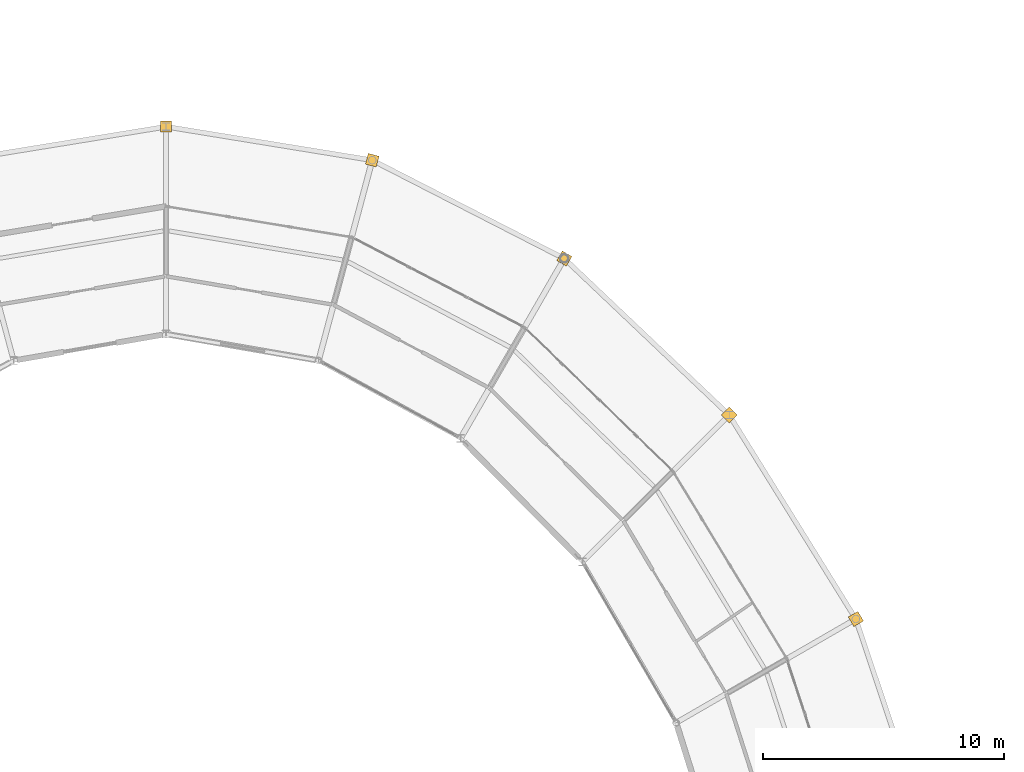
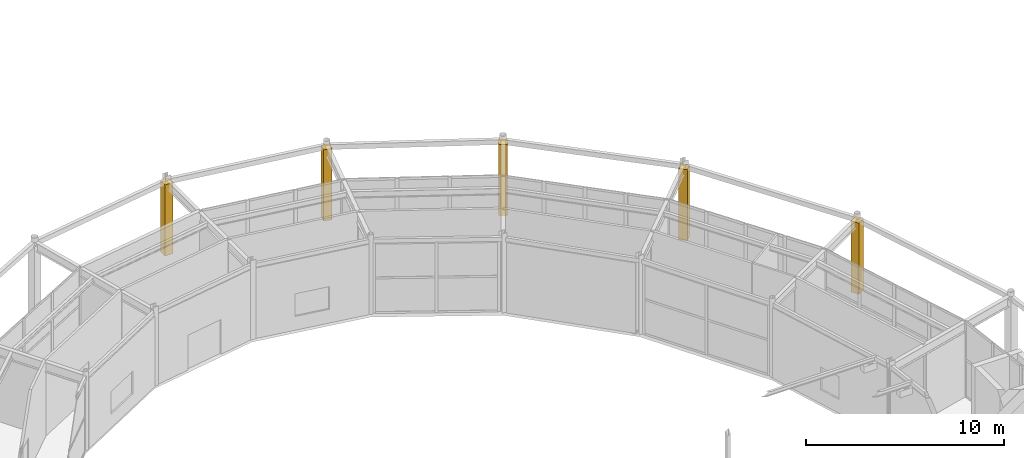
# One storey, part 142 of 144: 5 coverings.
"""IFC4 building model written with IfcOpenShell, lengths in metres."""

import ifcopenshell
import ifcopenshell.guid

model = None  # the IFC model being written
_history = None  # IfcOwnerHistory: only IFC2X3 demands one
_inside = {}  # id of a spatial element -> (the spatial element, [elements in it])
_under = {}  # id of a project, library or spatial element -> (it, [spatial elements below it])
_declared = {}  # id of a project -> (the project, [libraries it declares])
_typed = {}  # id of a type object -> (the type object, [elements of that type])
_made_of = {}  # id of a material, layer set ... -> (it, [elements and type objects made of it])


def new_model(schema):
    """Start an empty IFC model of exactly this schema.

    Asked for "IFC4X3", IfcOpenShell would pick the latest addendum, in which some entities
    have other attributes; the version numbers below select the first issue.
    IFC2X3 requires an IfcOwnerHistory on every rooted entity: one is made here for all.
    """
    global model, _history
    if schema == "IFC4X3":
        model = ifcopenshell.file(schema_version=(4, 3, 0, 0))
    else:
        model = ifcopenshell.file(schema=schema)
    _inside.clear()
    _under.clear()
    _declared.clear()
    _typed.clear()
    _made_of.clear()
    _history = None
    if model.schema == "IFC2X3":
        org = make("IfcOrganization", Name="unknown")
        user = make(
            "IfcPersonAndOrganization",
            ThePerson=make("IfcPerson", FamilyName="unknown"),
            TheOrganization=org,
        )
        app = make(
            "IfcApplication",
            ApplicationDeveloper=org,
            Version="unknown",
            ApplicationFullName="unknown",
            ApplicationIdentifier="unknown",
        )
        _history = make(
            "IfcOwnerHistory",
            OwningUser=user,
            OwningApplication=app,
            ChangeAction="ADDED",
            CreationDate=0,
        )
    return model


def make(cls, **values):
    """One entity of the class cls with the attributes given. An attribute that is None is left unset."""
    return model.create_entity(
        cls, **{name: value for name, value in values.items() if value is not None}
    )


def rooted(cls, **values):
    """An entity with a GlobalId (a new one), such as an element, a storey or a relation."""
    return make(cls, GlobalId=ifcopenshell.guid.new(), OwnerHistory=_history, **values)


def si_unit(unit_type, name, prefix=None):
    """IfcSIUnit, for example si_unit("LENGTHUNIT", "METRE", prefix="MILLI")."""
    return make("IfcSIUnit", UnitType=unit_type, Prefix=prefix, Name=name)


def assignment(units):
    """IfcUnitAssignment: the units of a project."""
    return None if units is None else make("IfcUnitAssignment", Units=units)


def point(xyz):
    """IfcCartesianPoint."""
    return None if xyz is None else make("IfcCartesianPoint", Coordinates=xyz)


def direction(xyz):
    """IfcDirection."""
    return None if xyz is None else make("IfcDirection", DirectionRatios=xyz)


def frame(location, z_axis=None, x_axis=None):
    """IfcAxis2Placement3D, a coordinate frame: its origin and axes. An axis left out is left unset."""
    return make(
        "IfcAxis2Placement3D",
        Location=point(location),
        Axis=direction(z_axis),
        RefDirection=direction(x_axis),
    )


def frame_2d(location, x_axis=None):
    """IfcAxis2Placement2D, a coordinate frame in the plane: its origin and x axis."""
    return make(
        "IfcAxis2Placement2D", Location=point(location), RefDirection=direction(x_axis)
    )


def origin():
    """The frame at (0, 0, 0) with its axes left unset."""
    return frame((0.0, 0.0, 0.0))


def origin_2d():
    """The frame at (0, 0) in the plane with its x axis left unset."""
    return frame_2d((0.0, 0.0))


def place(relative_to, where):
    """IfcLocalPlacement: puts the frame where relative to a parent placement (None: the world)."""
    return make(
        "IfcLocalPlacement", PlacementRelTo=relative_to, RelativePlacement=where
    )


def context(
    kind, dimensions, precision=None, world=None, true_north=None, identifier=None
):
    """IfcGeometricRepresentationContext, for example the 3D "Model" context."""
    return make(
        "IfcGeometricRepresentationContext",
        ContextIdentifier=identifier,
        ContextType=kind,
        CoordinateSpaceDimension=dimensions,
        Precision=precision,
        WorldCoordinateSystem=world,
        TrueNorth=true_north,
    )


def subcontext(parent, identifier, kind, view, scale=None):
    """IfcGeometricRepresentationSubContext, for example "Body" below "Model"."""
    return make(
        "IfcGeometricRepresentationSubContext",
        ContextIdentifier=identifier,
        ContextType=kind,
        ParentContext=parent,
        TargetScale=scale,
        TargetView=view,
    )


def project(units=None, contexts=None):
    """IfcProject with its units and contexts."""
    return rooted(
        "IfcProject",
        Name="project",
        RepresentationContexts=contexts,
        UnitsInContext=assignment(units),
    )


def spatial(cls, under=None, at=None, **own):
    """A site, building, storey or space (cls), placed at a placement, below another one or the project."""
    s = rooted(cls, ObjectPlacement=at, **own)
    if under is not None:
        _under.setdefault(under.id(), (under, []))[1].append(s)
    return s


def profile(cls, at=None, kind="AREA", **sizes):
    """A parametric profile (cls). Its sizes go by their IFC names, for example OverallWidth=200.0."""
    return make(cls, ProfileType=kind, Position=at, **sizes)


def rectangle(**sizes):
    """IfcRectangleProfileDef."""
    return profile("IfcRectangleProfileDef", **sizes)


def extrude(swept, where, along, depth):
    """IfcExtrudedAreaSolid: the profile swept, set in the frame where, extruded along a direction by depth."""
    return make(
        "IfcExtrudedAreaSolid",
        SweptArea=swept,
        Position=where,
        ExtrudedDirection=direction(along),
        Depth=depth,
    )


def shape(context_of_items, identifier, shape_type, items):
    """IfcShapeRepresentation: the items that make up one representation, for example the "Body"."""
    return make(
        "IfcShapeRepresentation",
        ContextOfItems=context_of_items,
        RepresentationIdentifier=identifier,
        RepresentationType=shape_type,
        Items=items,
    )


def material(Name=None, Category=None):
    """IfcMaterial."""
    return make("IfcMaterial", Name=Name, Category=Category)


def layer(
    of_material, thickness, ventilated=None, Name=None, Category=None, Priority=None
):
    """IfcMaterialLayer: one layer of a wall or slab, of a material (None: an air gap)."""
    return make(
        "IfcMaterialLayer",
        Material=of_material,
        LayerThickness=thickness,
        IsVentilated=ventilated,
        Name=Name,
        Category=Category,
        Priority=Priority,
    )


def layer_set(layers, Name=None):
    """IfcMaterialLayerSet."""
    return make("IfcMaterialLayerSet", MaterialLayers=layers, LayerSetName=Name)


def made_of(thing, what):
    """Note that an element or type object is made of a material, layer set ...; save() writes the relation."""
    if what is not None:
        _made_of.setdefault(what.id(), (what, []))[1].append(thing)
    return thing


def type_object(cls, material=None, **own):
    """A type object (cls), such as IfcWallType, which elements share."""
    return made_of(rooted(cls, **own), material)


def element(
    cls,
    number,
    at=None,
    inside=None,
    cuts=None,
    type_object=None,
    material=None,
    context=None,
    identifier="Body",
    shape_type=None,
    held_by="IfcProductDefinitionShape",
    body=None,
    shapes=None,
    **own,
):
    """One element of the class cls, such as IfcWall. Its Tag is "e" and its number.

    at: its placement. inside: the storey or other place that contains it. cuts: it is an
    opening in that element (IfcRelVoidsElement). A single representation is given by context,
    identifier, shape_type and body (its items); several are given by shapes. held_by: the class
    of the entity that holds the representations. save() writes the other relations.
    """
    e = rooted(cls, Tag="e%d" % number, ObjectPlacement=at, **own)
    if body is not None:
        shapes = [shape(context, identifier, shape_type, body)]
    if shapes is not None:
        e.Representation = make(held_by, Representations=shapes)
    if inside is not None:
        _inside.setdefault(inside.id(), (inside, []))[1].append(e)
    if cuts is not None:
        rooted(
            "IfcRelVoidsElement", RelatingBuildingElement=cuts, RelatedOpeningElement=e
        )
    if type_object is not None:
        _typed.setdefault(type_object.id(), (type_object, []))[1].append(e)
    return made_of(e, material)


def aggregate(whole, parts):
    """IfcRelAggregates: a whole, such as a stair, and the parts it consists of."""
    return rooted("IfcRelAggregates", RelatingObject=whole, RelatedObjects=parts)


def save(model, path):
    """Write the relations noted so far, then the file.

    IfcRelAggregates (storeys below a building ...), IfcRelContainedInSpatialStructure (elements
    in a storey), IfcRelDefinesByType, IfcRelAssociatesMaterial and IfcRelDeclares: one each for
    every whole, place, type object, material and project.
    """
    for whole, parts in _under.values():
        aggregate(whole, parts)
    for where, things in _inside.values():
        rooted(
            "IfcRelContainedInSpatialStructure",
            RelatedElements=things,
            RelatingStructure=where,
        )
    for kind, things in _typed.values():
        rooted("IfcRelDefinesByType", RelatedObjects=things, RelatingType=kind)
    for what, things in _made_of.values():
        rooted("IfcRelAssociatesMaterial", RelatedObjects=things, RelatingMaterial=what)
    for by, libraries in _declared.values():
        rooted("IfcRelDeclares", RelatingContext=by, RelatedDefinitions=libraries)
    model.write(path)


model = new_model("IFC4")

# Units and contexts
model_context = context("Model", 3, precision=1e-05, world=origin(), true_north=direction((0.0, 1.0)))
body_context = subcontext(model_context, "Body", "Model", "MODEL_VIEW")
ifc_project = project(units=[si_unit("LENGTHUNIT", "METRE"), si_unit("AREAUNIT", "SQUARE_METRE"), si_unit("VOLUMEUNIT", "CUBIC_METRE"), si_unit("PLANEANGLEUNIT", "RADIAN"), si_unit("MASSUNIT", "GRAM", prefix="KILO")], contexts=[model_context])

# Site, building, storey
site_placement = place(None, origin())
site = spatial("IfcSite", under=ifc_project, at=site_placement, CompositionType="ELEMENT")
building_placement = place(site_placement, origin())
building = spatial("IfcBuilding", under=site, at=building_placement, Name="Karori Crest Natural Sciences Institute", CompositionType="ELEMENT")
storey_placement = place(building_placement, origin())
storey = spatial("IfcBuildingStorey", under=building, at=storey_placement, Name="L00", CompositionType="ELEMENT", Elevation=0.0)

# Coverings
ifc_material = material(Name="Glulam GL10 architectural column casing", Category="wood")
ifc_layer = layer(ifc_material, 0.044921875, Name="Glulam GL10 architectural column casing")
ifc_layer_set = layer_set([ifc_layer], Name="Glulam GL10 architectural column casing")
covering_type = type_object("IfcCoveringType", Name="CVT-GL10", PredefinedType="CLADDING", material=ifc_layer_set)
for number, where, z_axis, x_axis, name in (
    (1, (94.978759765625, 70.300048828125, 0.050048828125), (0.0, 0.0, 1.0), (0.866025403784, 0.5, 0.0), "Glulam GL10 column casing CL-0003"),
    (2, (89.734619140625, 78.75, 0.050048828125), (0.0, 0.0, 1.0), (0.707106781187, 0.707106781187, 0.0), "Glulam GL10 column casing CL-0004"),
    (3, (82.89990234375, 85.23388671875, 0.050048828125), (0.0, 0.0, 1.0), (0.5, 0.866025403784, 0.0), "Glulam GL10 column casing CL-0005"),
    (4, (74.94091796875, 89.309814453125, 0.050048828125), (0.0, 0.0, 1.0), (0.258819045103, 0.965925826289, 0.0), "Glulam GL10 column casing CL-0006"),
    (5, (66.39990234375, 90.699951171875, 0.050048828125), (0.0, 0.0, 1.0), (0.0, 1.0, 0.0), "Glulam GL10 column casing CL-0007"),
):
    element("IfcCovering", number, at=place(storey_placement, frame(where, z_axis=z_axis, x_axis=x_axis)), inside=storey, type_object=covering_type, Name=name, PredefinedType="CLADDING", context=body_context, shape_type="SweptSolid", body=[
        extrude(rectangle(XDim=0.4599609375, YDim=0.4599609375, at=origin_2d()), origin(), (0.0, 0.0, 1.0), 4.39990234375),
    ])

save(model, "model.ifc")
